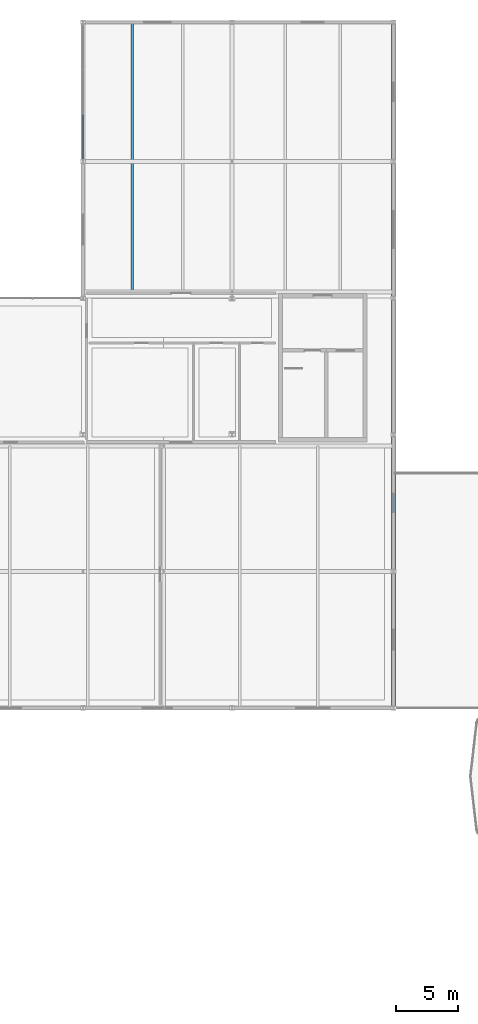
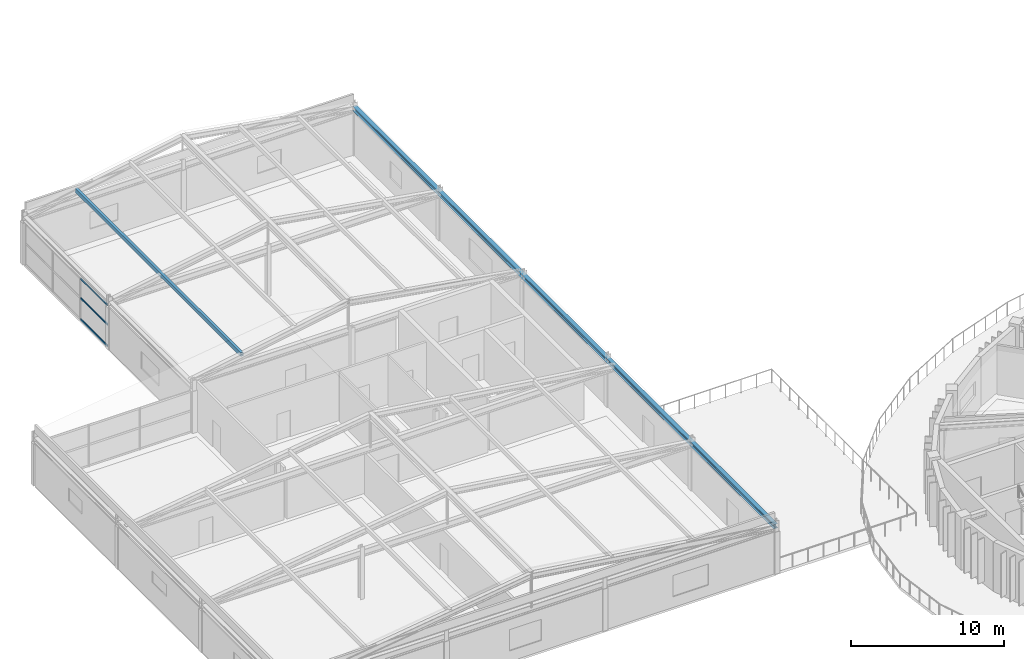
# One storey, part 24 of 63: 4 members, 1 beam, 1 element without a shape of its own.
"""IFC4 building model written with IfcOpenShell, lengths in metres."""

from ifc_helpers import new_model, si_unit, direction, frame, origin, origin_2d, place, context, subcontext, project, spatial, hollow_rectangle, i_section, extrude, material, material_profile, profile_set, type_object, element, aggregate, save


model = new_model("IFC4")

# Units and contexts
model_context = context("Model", 3, precision=1e-05, world=origin(), true_north=direction((0.0, 1.0)))
body_context = subcontext(model_context, "Body", "Model", "MODEL_VIEW")
ifc_project = project(units=[si_unit("LENGTHUNIT", "METRE"), si_unit("AREAUNIT", "SQUARE_METRE"), si_unit("VOLUMEUNIT", "CUBIC_METRE"), si_unit("PLANEANGLEUNIT", "RADIAN"), si_unit("MASSUNIT", "GRAM", prefix="KILO")], contexts=[model_context])

# Site, building, storey
site_placement = place(None, origin())
site = spatial("IfcSite", under=ifc_project, at=site_placement, CompositionType="ELEMENT")
building_placement = place(site_placement, origin())
building = spatial("IfcBuilding", under=site, at=building_placement, Name="Tarnveldt Headland Concert Hall", CompositionType="ELEMENT")
storey_placement = place(building_placement, frame((0.0, 0.0, 14.39990234375)))
storey = spatial("IfcBuildingStorey", under=building, at=storey_placement, Name="L03", CompositionType="ELEMENT", Elevation=14.39990234375)

# Member
ifc_material_1 = material(Name="Steel S355", Category="steel")
ifc_material_profile_1 = material_profile(ifc_material_1, hollow_rectangle(XDim=0.199951171875, YDim=0.300048828125, WallThickness=0.012451171875, at=origin_2d()), Name="RHS 300x200x12.5", Category="steel")
ifc_profile_set_1 = profile_set([ifc_material_profile_1], Name="Steel S355")
member_type_1 = type_object("IfcMemberType", Name="PR-RHS300", PredefinedType="PURLIN", material=ifc_profile_set_1)
member_1_placement = place(storey_placement, frame((23.4599609375, 93.5, 4.486083984375), z_axis=(0.0, 1.0, 0.0), x_axis=(-1.0, 0.0, 0.0)))
element("IfcMember", 1, at=member_1_placement, inside=storey, type_object=member_type_1, Name="Rehearsal roof purlin NW-33", PredefinedType="PURLIN", context=body_context, shape_type="SweptSolid", body=[
    extrude(hollow_rectangle(XDim=0.199951171875, YDim=0.300048828125, WallThickness=0.012451171875, at=origin_2d()), origin(), (0.0, 0.0, 1.0), 21.699951171875),
])

# Beam
ifc_material_profile_2 = material_profile(ifc_material_1, i_section(OverallWidth=0.300048828125, OverallDepth=0.35009765625, WebThickness=0.010009765625, FlangeThickness=0.017578125, FilletRadius=0.027099609375, at=origin_2d()), Name="HEA360", Category="steel")
ifc_profile_set_2 = profile_set([ifc_material_profile_2], Name="Steel S355")
beam_type = type_object("IfcBeamType", Name="SB-HEA360", PredefinedType="SPANDREL", material=ifc_profile_set_2)
beam_placement = place(storey_placement, frame((44.5, 60.0, 3.68017578125), z_axis=(0.0, 1.0, 0.0), x_axis=(-1.0, 0.0, 0.0)))
element("IfcBeam", 2, at=beam_placement, inside=storey, type_object=beam_type, Name="Rehearsal eaves girder X44", PredefinedType="SPANDREL", context=body_context, shape_type="SweptSolid", body=[
    extrude(i_section(OverallWidth=0.300048828125, OverallDepth=0.35009765625, WebThickness=0.010009765625, FlangeThickness=0.017578125, FilletRadius=0.027099609375, at=origin_2d()), origin(), (0.0, 0.0, 1.0), 55.199951171875),
])

# Curtain wall, members
ifc_material_2 = material(Name="Marine-anodised aluminium EN AW-6063-T6", Category="aluminium")
curtain_wall_type = type_object("IfcCurtainWallType", Name="CW-R3", PredefinedType="NOTDEFINED", material=ifc_material_2)
curtain_wall_placement = place(storey_placement, origin())
curtain_wall = element("IfcCurtainWall", 3, at=curtain_wall_placement, inside=storey, type_object=curtain_wall_type, Name="Curtain wall CW-L03-183", PredefinedType="NOTDEFINED")
ifc_material_profile_3 = material_profile(ifc_material_2, hollow_rectangle(XDim=0.06494140625, YDim=0.139892578125, WallThickness=0.00390625, at=origin_2d()), Name="ALU TRANSOM 65x140x4", Category="aluminium")
ifc_profile_set_3 = profile_set([ifc_material_profile_3], Name="Marine-anodised aluminium EN AW-6063-T6")
member_type_2 = type_object("IfcMemberType", Name="TR-140", PredefinedType="MEMBER", material=ifc_profile_set_3)
member_2_placement = place(storey_placement, frame((19.5, 107.754638671875, 0.050048828125), z_axis=(0.0, -1.0, 0.0), x_axis=(1.0, 0.0, 0.0)))
member_2 = element("IfcMember", 4, at=member_2_placement, type_object=member_type_2, Name="Transom CW-L03-183-3-1", PredefinedType="MEMBER", context=body_context, shape_type="SweptSolid", body=[
    extrude(hollow_rectangle(XDim=0.06494140625, YDim=0.139892578125, WallThickness=0.00390625, at=origin_2d()), origin(), (0.0, 0.0, 1.0), 3.522705078125),
])
member_3_placement = place(storey_placement, frame((19.5, 107.754638671875, 1.7421875), z_axis=(0.0, -1.0, 0.0), x_axis=(1.0, 0.0, 0.0)))
member_3 = element("IfcMember", 5, at=member_3_placement, type_object=member_type_2, Name="Transom CW-L03-183-3-2", PredefinedType="MEMBER", context=body_context, shape_type="SweptSolid", body=[
    extrude(hollow_rectangle(XDim=0.06494140625, YDim=0.139892578125, WallThickness=0.00390625, at=origin_2d()), origin(), (0.0, 0.0, 1.0), 3.522705078125),
])
member_4_placement = place(storey_placement, frame((19.5, 107.754638671875, 3.300048828125), z_axis=(0.0, -1.0, 0.0), x_axis=(1.0, 0.0, 0.0)))
member_4 = element("IfcMember", 6, at=member_4_placement, type_object=member_type_2, Name="Transom CW-L03-183-3-3", PredefinedType="MEMBER", context=body_context, shape_type="SweptSolid", body=[
    extrude(hollow_rectangle(XDim=0.06494140625, YDim=0.139892578125, WallThickness=0.00390625, at=origin_2d()), origin(), (0.0, 0.0, 1.0), 3.522705078125),
])
aggregate(curtain_wall, [member_2, member_3, member_4])

save(model, "model.ifc")
